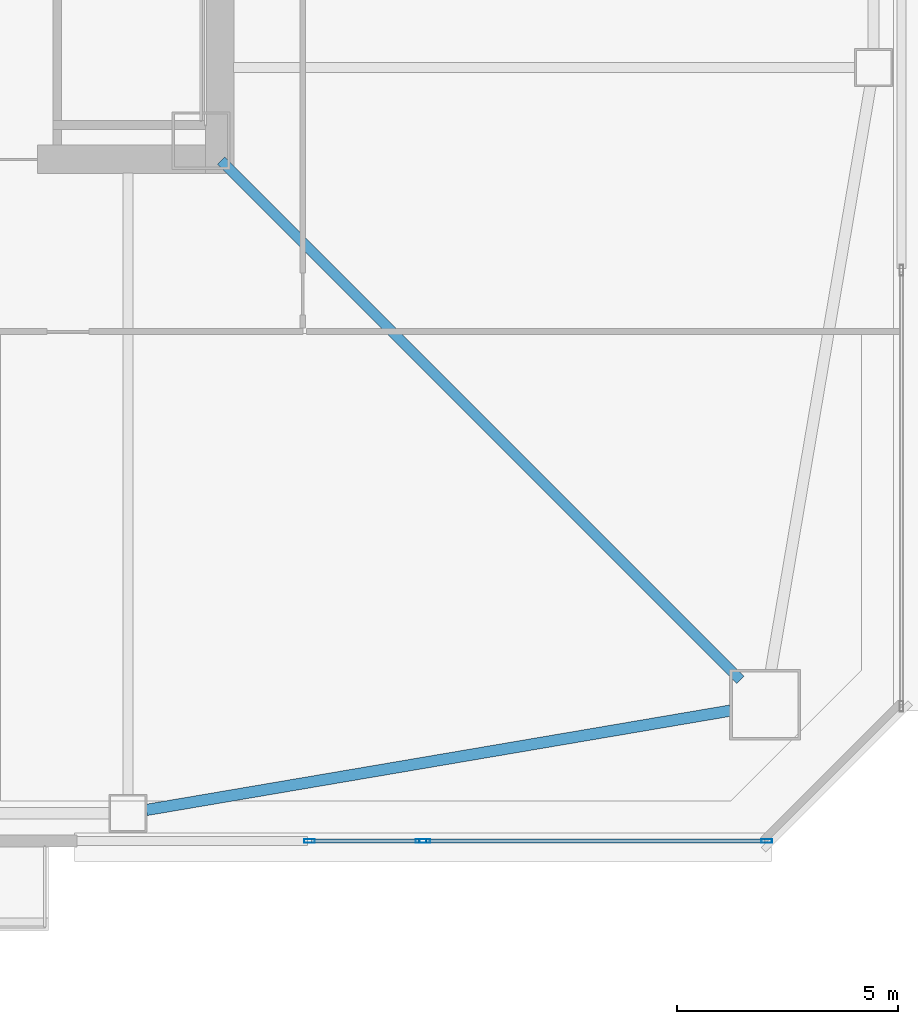
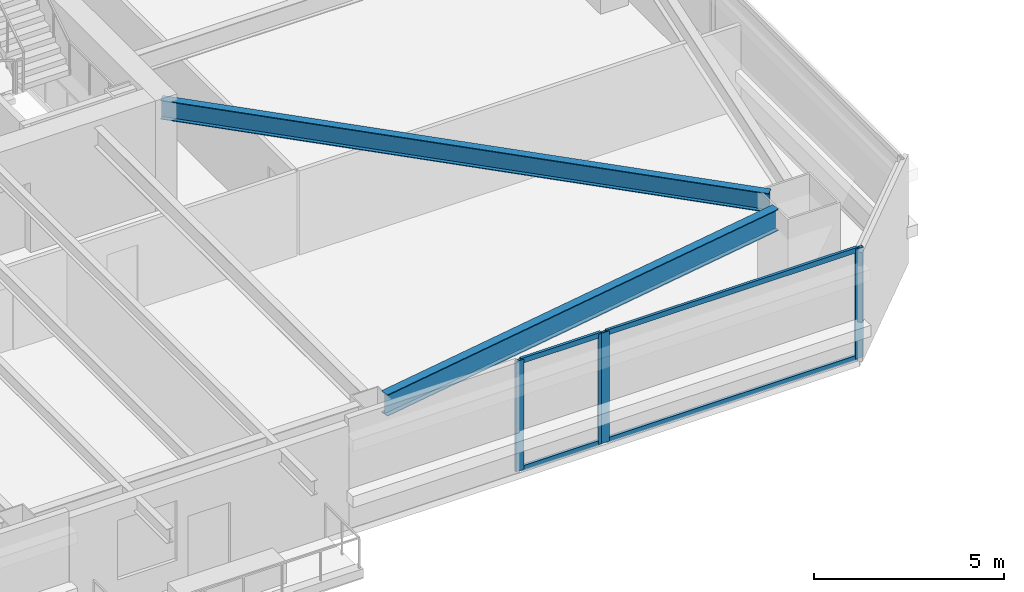
# One storey, part 7 of 45: 8 members, 2 beams, 2 elements without a shape of their own.
"""IFC4 building model written with IfcOpenShell, lengths in metres."""

import ifcopenshell
import ifcopenshell.guid

model = None  # the IFC model being written
_history = None  # IfcOwnerHistory: only IFC2X3 demands one
_inside = {}  # id of a spatial element -> (the spatial element, [elements in it])
_under = {}  # id of a project, library or spatial element -> (it, [spatial elements below it])
_declared = {}  # id of a project -> (the project, [libraries it declares])
_typed = {}  # id of a type object -> (the type object, [elements of that type])
_made_of = {}  # id of a material, layer set ... -> (it, [elements and type objects made of it])


def new_model(schema):
    """Start an empty IFC model of exactly this schema.

    Asked for "IFC4X3", IfcOpenShell would pick the latest addendum, in which some entities
    have other attributes; the version numbers below select the first issue.
    IFC2X3 requires an IfcOwnerHistory on every rooted entity: one is made here for all.
    """
    global model, _history
    if schema == "IFC4X3":
        model = ifcopenshell.file(schema_version=(4, 3, 0, 0))
    else:
        model = ifcopenshell.file(schema=schema)
    _inside.clear()
    _under.clear()
    _declared.clear()
    _typed.clear()
    _made_of.clear()
    _history = None
    if model.schema == "IFC2X3":
        org = make("IfcOrganization", Name="unknown")
        user = make(
            "IfcPersonAndOrganization",
            ThePerson=make("IfcPerson", FamilyName="unknown"),
            TheOrganization=org,
        )
        app = make(
            "IfcApplication",
            ApplicationDeveloper=org,
            Version="unknown",
            ApplicationFullName="unknown",
            ApplicationIdentifier="unknown",
        )
        _history = make(
            "IfcOwnerHistory",
            OwningUser=user,
            OwningApplication=app,
            ChangeAction="ADDED",
            CreationDate=0,
        )
    return model


def make(cls, **values):
    """One entity of the class cls with the attributes given. An attribute that is None is left unset."""
    return model.create_entity(
        cls, **{name: value for name, value in values.items() if value is not None}
    )


def rooted(cls, **values):
    """An entity with a GlobalId (a new one), such as an element, a storey or a relation."""
    return make(cls, GlobalId=ifcopenshell.guid.new(), OwnerHistory=_history, **values)


def si_unit(unit_type, name, prefix=None):
    """IfcSIUnit, for example si_unit("LENGTHUNIT", "METRE", prefix="MILLI")."""
    return make("IfcSIUnit", UnitType=unit_type, Prefix=prefix, Name=name)


def assignment(units):
    """IfcUnitAssignment: the units of a project."""
    return None if units is None else make("IfcUnitAssignment", Units=units)


def point(xyz):
    """IfcCartesianPoint."""
    return None if xyz is None else make("IfcCartesianPoint", Coordinates=xyz)


def direction(xyz):
    """IfcDirection."""
    return None if xyz is None else make("IfcDirection", DirectionRatios=xyz)


def frame(location, z_axis=None, x_axis=None):
    """IfcAxis2Placement3D, a coordinate frame: its origin and axes. An axis left out is left unset."""
    return make(
        "IfcAxis2Placement3D",
        Location=point(location),
        Axis=direction(z_axis),
        RefDirection=direction(x_axis),
    )


def frame_2d(location, x_axis=None):
    """IfcAxis2Placement2D, a coordinate frame in the plane: its origin and x axis."""
    return make(
        "IfcAxis2Placement2D", Location=point(location), RefDirection=direction(x_axis)
    )


def origin():
    """The frame at (0, 0, 0) with its axes left unset."""
    return frame((0.0, 0.0, 0.0))


def origin_2d():
    """The frame at (0, 0) in the plane with its x axis left unset."""
    return frame_2d((0.0, 0.0))


def place(relative_to, where):
    """IfcLocalPlacement: puts the frame where relative to a parent placement (None: the world)."""
    return make(
        "IfcLocalPlacement", PlacementRelTo=relative_to, RelativePlacement=where
    )


def context(
    kind, dimensions, precision=None, world=None, true_north=None, identifier=None
):
    """IfcGeometricRepresentationContext, for example the 3D "Model" context."""
    return make(
        "IfcGeometricRepresentationContext",
        ContextIdentifier=identifier,
        ContextType=kind,
        CoordinateSpaceDimension=dimensions,
        Precision=precision,
        WorldCoordinateSystem=world,
        TrueNorth=true_north,
    )


def subcontext(parent, identifier, kind, view, scale=None):
    """IfcGeometricRepresentationSubContext, for example "Body" below "Model"."""
    return make(
        "IfcGeometricRepresentationSubContext",
        ContextIdentifier=identifier,
        ContextType=kind,
        ParentContext=parent,
        TargetScale=scale,
        TargetView=view,
    )


def project(units=None, contexts=None):
    """IfcProject with its units and contexts."""
    return rooted(
        "IfcProject",
        Name="project",
        RepresentationContexts=contexts,
        UnitsInContext=assignment(units),
    )


def spatial(cls, under=None, at=None, **own):
    """A site, building, storey or space (cls), placed at a placement, below another one or the project."""
    s = rooted(cls, ObjectPlacement=at, **own)
    if under is not None:
        _under.setdefault(under.id(), (under, []))[1].append(s)
    return s


def profile(cls, at=None, kind="AREA", **sizes):
    """A parametric profile (cls). Its sizes go by their IFC names, for example OverallWidth=200.0."""
    return make(cls, ProfileType=kind, Position=at, **sizes)


def hollow_rectangle(**sizes):
    """IfcRectangleHollowProfileDef."""
    return profile("IfcRectangleHollowProfileDef", **sizes)


def i_section(**sizes):
    """IfcIShapeProfileDef."""
    return profile("IfcIShapeProfileDef", **sizes)


def extrude(swept, where, along, depth):
    """IfcExtrudedAreaSolid: the profile swept, set in the frame where, extruded along a direction by depth."""
    return make(
        "IfcExtrudedAreaSolid",
        SweptArea=swept,
        Position=where,
        ExtrudedDirection=direction(along),
        Depth=depth,
    )


def shape(context_of_items, identifier, shape_type, items):
    """IfcShapeRepresentation: the items that make up one representation, for example the "Body"."""
    return make(
        "IfcShapeRepresentation",
        ContextOfItems=context_of_items,
        RepresentationIdentifier=identifier,
        RepresentationType=shape_type,
        Items=items,
    )


def material(Name=None, Category=None):
    """IfcMaterial."""
    return make("IfcMaterial", Name=Name, Category=Category)


def material_profile(
    of_material, cross_section, Name=None, Category=None, Priority=None
):
    """IfcMaterialProfile: a cross section and its material."""
    return make(
        "IfcMaterialProfile",
        Name=Name,
        Material=of_material,
        Profile=cross_section,
        Priority=Priority,
        Category=Category,
    )


def profile_set(profiles, Name=None, composite=None):
    """IfcMaterialProfileSet."""
    return make(
        "IfcMaterialProfileSet",
        Name=Name,
        MaterialProfiles=profiles,
        CompositeProfile=composite,
    )


def made_of(thing, what):
    """Note that an element or type object is made of a material, layer set ...; save() writes the relation."""
    if what is not None:
        _made_of.setdefault(what.id(), (what, []))[1].append(thing)
    return thing


def type_object(cls, material=None, **own):
    """A type object (cls), such as IfcWallType, which elements share."""
    return made_of(rooted(cls, **own), material)


def element(
    cls,
    number,
    at=None,
    inside=None,
    cuts=None,
    type_object=None,
    material=None,
    context=None,
    identifier="Body",
    shape_type=None,
    held_by="IfcProductDefinitionShape",
    body=None,
    shapes=None,
    **own,
):
    """One element of the class cls, such as IfcWall. Its Tag is "e" and its number.

    at: its placement. inside: the storey or other place that contains it. cuts: it is an
    opening in that element (IfcRelVoidsElement). A single representation is given by context,
    identifier, shape_type and body (its items); several are given by shapes. held_by: the class
    of the entity that holds the representations. save() writes the other relations.
    """
    e = rooted(cls, Tag="e%d" % number, ObjectPlacement=at, **own)
    if body is not None:
        shapes = [shape(context, identifier, shape_type, body)]
    if shapes is not None:
        e.Representation = make(held_by, Representations=shapes)
    if inside is not None:
        _inside.setdefault(inside.id(), (inside, []))[1].append(e)
    if cuts is not None:
        rooted(
            "IfcRelVoidsElement", RelatingBuildingElement=cuts, RelatedOpeningElement=e
        )
    if type_object is not None:
        _typed.setdefault(type_object.id(), (type_object, []))[1].append(e)
    return made_of(e, material)


def aggregate(whole, parts):
    """IfcRelAggregates: a whole, such as a stair, and the parts it consists of."""
    return rooted("IfcRelAggregates", RelatingObject=whole, RelatedObjects=parts)


def save(model, path):
    """Write the relations noted so far, then the file.

    IfcRelAggregates (storeys below a building ...), IfcRelContainedInSpatialStructure (elements
    in a storey), IfcRelDefinesByType, IfcRelAssociatesMaterial and IfcRelDeclares: one each for
    every whole, place, type object, material and project.
    """
    for whole, parts in _under.values():
        aggregate(whole, parts)
    for where, things in _inside.values():
        rooted(
            "IfcRelContainedInSpatialStructure",
            RelatedElements=things,
            RelatingStructure=where,
        )
    for kind, things in _typed.values():
        rooted("IfcRelDefinesByType", RelatedObjects=things, RelatingType=kind)
    for what, things in _made_of.values():
        rooted("IfcRelAssociatesMaterial", RelatedObjects=things, RelatingMaterial=what)
    for by, libraries in _declared.values():
        rooted("IfcRelDeclares", RelatingContext=by, RelatedDefinitions=libraries)
    model.write(path)


model = new_model("IFC4")

# Units and contexts
model_context = context("Model", 3, precision=1e-05, world=origin(), true_north=direction((0.0, 1.0)))
body_context = subcontext(model_context, "Body", "Model", "MODEL_VIEW")
ifc_project = project(units=[si_unit("LENGTHUNIT", "METRE"), si_unit("AREAUNIT", "SQUARE_METRE"), si_unit("VOLUMEUNIT", "CUBIC_METRE"), si_unit("PLANEANGLEUNIT", "RADIAN"), si_unit("MASSUNIT", "GRAM", prefix="KILO")], contexts=[model_context])

# Site, building, storey
site_placement = place(None, origin())
site = spatial("IfcSite", under=ifc_project, at=site_placement, CompositionType="ELEMENT")
building_placement = place(site_placement, origin())
building = spatial("IfcBuilding", under=site, at=building_placement, Name="Tashvorn Skyway Center", CompositionType="ELEMENT")
storey_placement = place(building_placement, frame((0.0, 0.0, 35.25)))
storey = spatial("IfcBuildingStorey", under=building, at=storey_placement, Name="L08", CompositionType="ELEMENT", Elevation=35.25)

# Beams
ifc_material_1 = material(Name="Steel ASTM A992 Grade 50", Category="steel")
ifc_material_profile_1 = material_profile(ifc_material_1, i_section(OverallWidth=0.22998046875, OverallDepth=0.616943359375, WebThickness=0.01318359375, FlangeThickness=0.022216796875, at=origin_2d()), Name="W24X94")
ifc_profile_set_1 = profile_set([ifc_material_profile_1], Name="Steel ASTM A992 Grade 50")
beam_type_1 = type_object("IfcBeamType", Name="BM-BEAM-W24X94", PredefinedType="BEAM", material=ifc_profile_set_1)
beam_1_placement = place(storey_placement, frame((61.23779296875, 12.76220703125, 3.04150390625), z_axis=(-0.707106781187, 0.707106781187, 0.0), x_axis=(-0.707106781187, -0.707106781187, 0.0)))
element("IfcBeam", 1, at=beam_1_placement, inside=storey, type_object=beam_type_1, Name="Tower 1 L08 Primary Floor Girder MC-SE", PredefinedType="BEAM", context=body_context, shape_type="SweptSolid", body=[
    extrude(i_section(OverallWidth=0.22998046875, OverallDepth=0.616943359375, WebThickness=0.01318359375, FlangeThickness=0.022216796875, at=origin_2d()), origin(), (0.0, 0.0, 1.0), 16.591064453125),
])
ifc_material_profile_2 = material_profile(ifc_material_1, i_section(OverallWidth=0.256103515625, OverallDepth=0.693115234375, WebThickness=0.014404296875, FlangeThickness=0.023681640625, at=origin_2d()), Name="W27X114")
ifc_profile_set_2 = profile_set([ifc_material_profile_2], Name="Steel ASTM A992 Grade 50")
beam_type_2 = type_object("IfcBeamType", Name="BM-SPANDREL-W27X114", PredefinedType="SPANDREL", material=ifc_profile_set_2)
beam_2_placement = place(storey_placement, frame((47.81396484375, 9.820556640625, 3.00341796875), z_axis=(0.985835025551, 0.16771792509, 0.0), x_axis=(-0.16771792509, 0.985835025551, 0.0)))
element("IfcBeam", 2, at=beam_2_placement, inside=storey, type_object=beam_type_2, Name="Tower 1 L08 Spandrel Beam 03", PredefinedType="SPANDREL", context=body_context, shape_type="SweptSolid", body=[
    extrude(i_section(OverallWidth=0.256103515625, OverallDepth=0.693115234375, WebThickness=0.014404296875, FlangeThickness=0.023681640625, at=origin_2d()), origin(), (0.0, 0.0, 1.0), 13.39208984375),
])

# Curtain wall, members
ifc_material_2 = material(Name="Thermally broken bronze-anodized aluminium 6063-T6", Category="aluminium")
curtain_wall_type = type_object("IfcCurtainWallType", Name="CW-CW-Z1", PredefinedType="NOTDEFINED", material=ifc_material_2)
curtain_wall_1_placement = place(storey_placement, origin())
curtain_wall_1 = element("IfcCurtainWall", 3, at=curtain_wall_1_placement, inside=storey, type_object=curtain_wall_type, Name="Tower 1 L08 South Curtain Wall L Glazing Group 1", PredefinedType="NOTDEFINED")
ifc_material_profile_3 = material_profile(ifc_material_2, hollow_rectangle(XDim=0.0849609375, YDim=0.239990234375, WallThickness=0.0048828125, at=origin_2d()), Name="ALU-MULL-85x240")
ifc_profile_set_3 = profile_set([ifc_material_profile_3], Name="Thermally broken bronze-anodized aluminium 6063-T6")
member_type_1 = type_object("IfcMemberType", Name="CWM-CW-Z1", PredefinedType="MULLION", material=ifc_profile_set_3)
member_1_placement = place(storey_placement, frame((61.83740234375, 9.1201171875, 0.0), z_axis=(0.0, 0.0, 1.0), x_axis=(0.0, -1.0, 0.0)))
member_1 = element("IfcMember", 4, at=member_1_placement, type_object=member_type_1, Name="CW-Z1 mullion 1", PredefinedType="MULLION", context=body_context, shape_type="SweptSolid", body=[
    extrude(hollow_rectangle(XDim=0.0849609375, YDim=0.239990234375, WallThickness=0.0048828125, at=origin_2d()), origin(), (0.0, 0.0, 1.0), 3.550048828125),
])
member_2_placement = place(storey_placement, frame((54.107421875, 9.1201171875, 0.0), z_axis=(0.0, 0.0, 1.0), x_axis=(0.0, -1.0, 0.0)))
member_2 = element("IfcMember", 5, at=member_2_placement, type_object=member_type_1, Name="CW-Z1 mullion 2", PredefinedType="MULLION", context=body_context, shape_type="SweptSolid", body=[
    extrude(hollow_rectangle(XDim=0.0849609375, YDim=0.239990234375, WallThickness=0.0048828125, at=origin_2d()), origin(), (0.0, 0.0, 1.0), 3.550048828125),
])

curtain_wall_2_placement = place(storey_placement, origin())
curtain_wall_2 = element("IfcCurtainWall", 6, at=curtain_wall_2_placement, inside=storey, type_object=curtain_wall_type, Name="Tower 1 L08 South Curtain Wall L Glazing Group 2", PredefinedType="NOTDEFINED")
member_3_placement = place(storey_placement, frame((54.0224609375, 9.1201171875, 0.0), z_axis=(0.0, 0.0, 1.0), x_axis=(0.0, -1.0, 0.0)))
member_3 = element("IfcMember", 7, at=member_3_placement, type_object=member_type_1, Name="CW-Z1 mullion 1", PredefinedType="MULLION", context=body_context, shape_type="SweptSolid", body=[
    extrude(hollow_rectangle(XDim=0.0849609375, YDim=0.239990234375, WallThickness=0.0048828125, at=origin_2d()), origin(), (0.0, 0.0, 1.0), 3.550048828125),
])
member_4_placement = place(storey_placement, frame((51.50244140625, 9.1201171875, 0.0), z_axis=(0.0, 0.0, 1.0), x_axis=(0.0, -1.0, 0.0)))
member_4 = element("IfcMember", 8, at=member_4_placement, type_object=member_type_1, Name="CW-Z1 mullion 2", PredefinedType="MULLION", context=body_context, shape_type="SweptSolid", body=[
    extrude(hollow_rectangle(XDim=0.0849609375, YDim=0.239990234375, WallThickness=0.0048828125, at=origin_2d()), origin(), (0.0, 0.0, 1.0), 3.550048828125),
])

# Member
ifc_material_profile_4 = material_profile(ifc_material_2, hollow_rectangle(XDim=0.0849609375, YDim=0.1650390625, WallThickness=0.0048828125, at=origin_2d()), Name="ALU-TRAN-85x165")
ifc_profile_set_4 = profile_set([ifc_material_profile_4], Name="Thermally broken bronze-anodized aluminium 6063-T6")
member_type_2 = type_object("IfcMemberType", Name="CWT-CW-Z1", PredefinedType="USERDEFINED", material=ifc_profile_set_4)
member_5_placement = place(storey_placement, frame((61.794921875, 9.1201171875, 0.04248046875), z_axis=(-1.0, 0.0, 0.0), x_axis=(0.0, -1.0, 0.0)))
member_5 = element("IfcMember", 9, at=member_5_placement, type_object=member_type_2, Name="CW-Z1 transom 1.1", ObjectType="TRANSOM", PredefinedType="USERDEFINED", context=body_context, shape_type="SweptSolid", body=[
    extrude(hollow_rectangle(XDim=0.0849609375, YDim=0.1650390625, WallThickness=0.0048828125, at=origin_2d()), origin(), (0.0, 0.0, 1.0), 7.64501953125),
])

member_6_placement = place(storey_placement, frame((61.794921875, 9.1201171875, 3.507568359375), z_axis=(-1.0, 0.0, 0.0), x_axis=(0.0, -1.0, 0.0)))
member_6 = element("IfcMember", 10, at=member_6_placement, type_object=member_type_2, Name="CW-Z1 transom 1.2", ObjectType="TRANSOM", PredefinedType="USERDEFINED", context=body_context, shape_type="SweptSolid", body=[
    extrude(hollow_rectangle(XDim=0.0849609375, YDim=0.1650390625, WallThickness=0.0048828125, at=origin_2d()), origin(), (0.0, 0.0, 1.0), 7.64501953125),
])

aggregate(curtain_wall_1, [member_1, member_2, member_5, member_6])

member_7_placement = place(storey_placement, frame((53.97998046875, 9.1201171875, 0.04248046875), z_axis=(-1.0, 0.0, 0.0), x_axis=(0.0, -1.0, 0.0)))
member_7 = element("IfcMember", 11, at=member_7_placement, type_object=member_type_2, Name="CW-Z1 transom 1.1", ObjectType="TRANSOM", PredefinedType="USERDEFINED", context=body_context, shape_type="SweptSolid", body=[
    extrude(hollow_rectangle(XDim=0.0849609375, YDim=0.1650390625, WallThickness=0.0048828125, at=origin_2d()), origin(), (0.0, 0.0, 1.0), 2.43505859375),
])

member_8_placement = place(storey_placement, frame((53.97998046875, 9.1201171875, 3.507568359375), z_axis=(-1.0, 0.0, 0.0), x_axis=(0.0, -1.0, 0.0)))
member_8 = element("IfcMember", 12, at=member_8_placement, type_object=member_type_2, Name="CW-Z1 transom 1.2", ObjectType="TRANSOM", PredefinedType="USERDEFINED", context=body_context, shape_type="SweptSolid", body=[
    extrude(hollow_rectangle(XDim=0.0849609375, YDim=0.1650390625, WallThickness=0.0048828125, at=origin_2d()), origin(), (0.0, 0.0, 1.0), 2.43505859375),
])

aggregate(curtain_wall_2, [member_3, member_4, member_7, member_8])

save(model, "model.ifc")
